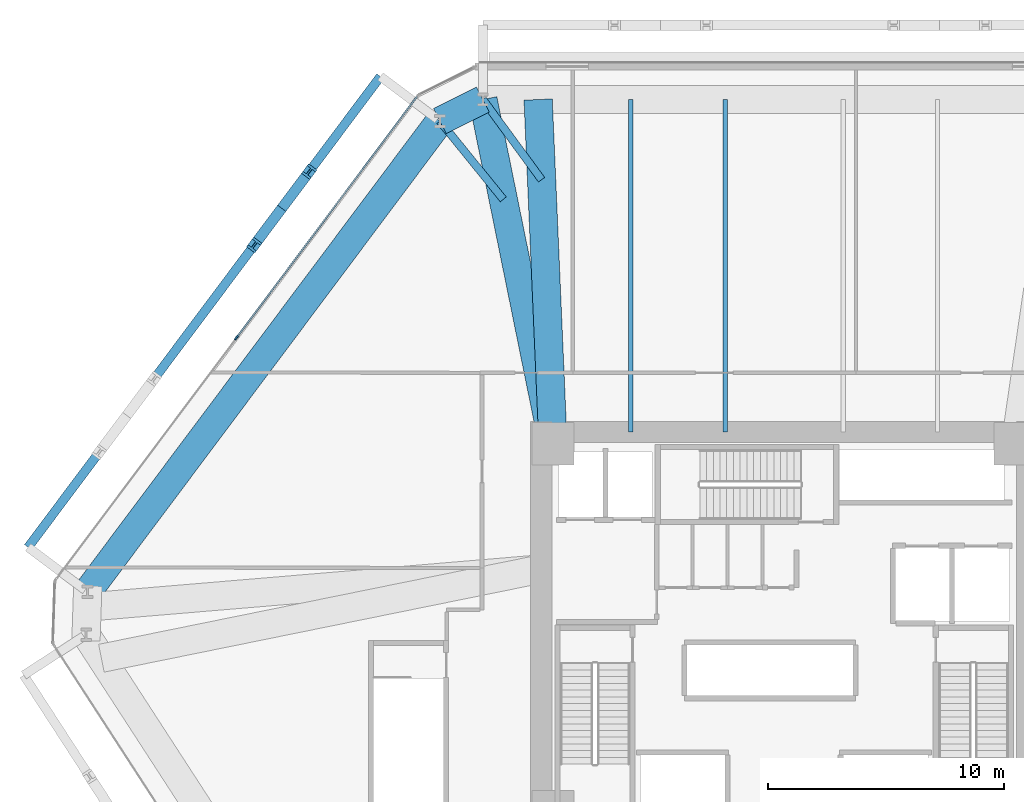
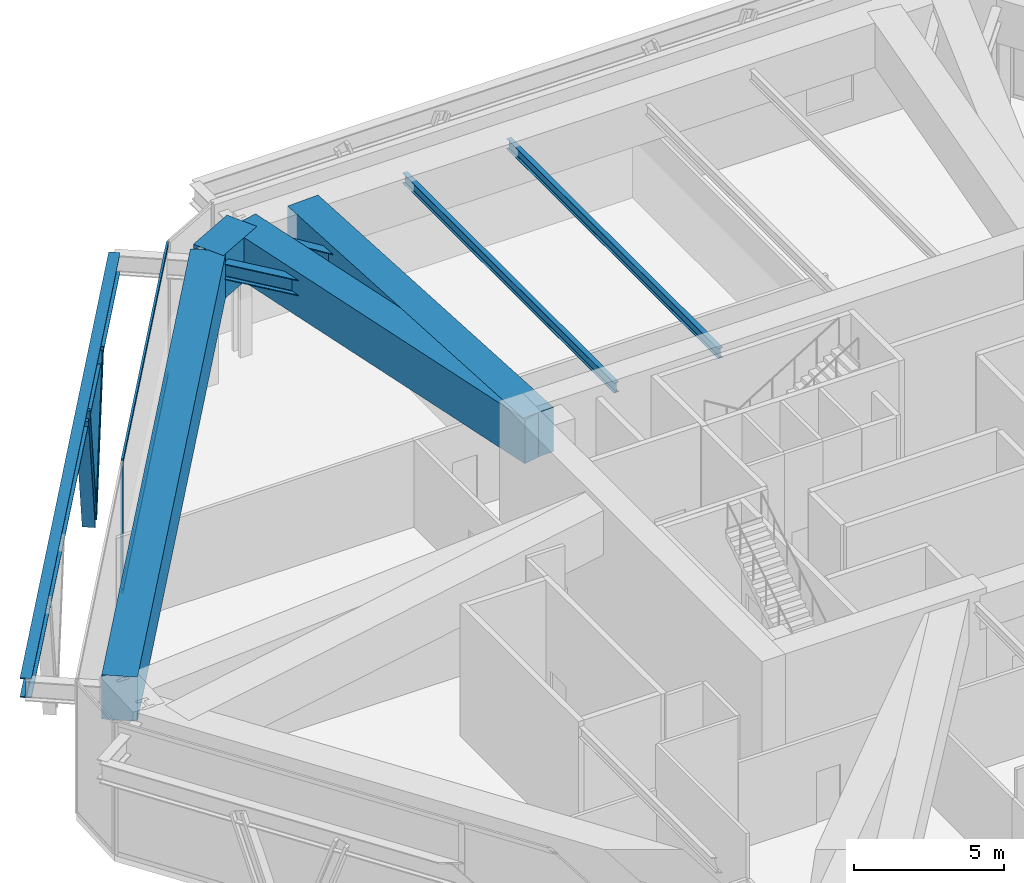
# One storey, part 8 of 19: 9 beams, 5 members, 1 element without a shape of its own.
"""IFC4 building model written with IfcOpenShell, lengths in metres."""

from ifc_helpers import new_model, si_unit, direction, frame, origin, origin_2d, place, context, subcontext, project, spatial, rectangle, i_section, extrude, source, transform, mapped, material, layer, layer_set, material_profile, profile_set, type_object, type_shapes, element, aggregate, save


model = new_model("IFC4")

# Units and contexts
model_context = context("Model", 3, precision=1e-05, world=origin(), true_north=direction((0.0, 1.0)))
body_context = subcontext(model_context, "Body", "Model", "MODEL_VIEW")
ifc_project = project(units=[si_unit("LENGTHUNIT", "METRE"), si_unit("AREAUNIT", "SQUARE_METRE"), si_unit("VOLUMEUNIT", "CUBIC_METRE"), si_unit("PLANEANGLEUNIT", "RADIAN"), si_unit("MASSUNIT", "GRAM", prefix="KILO")], contexts=[model_context])

# Site, building, storey
site_placement = place(None, origin())
site = spatial("IfcSite", under=ifc_project, at=site_placement, CompositionType="ELEMENT")
building_placement = place(site_placement, origin())
building = spatial("IfcBuilding", under=site, at=building_placement, Name="Durnholm Broadcast Tower", CompositionType="ELEMENT")
storey_placement = place(building_placement, frame((0.0, 0.0, 26.800048828125)))
storey = spatial("IfcBuildingStorey", under=building, at=storey_placement, Name="L05", CompositionType="ELEMENT", Elevation=26.800048828125)

# Beams
ifc_material_1 = material(Name="Steel ASTM A992 Grade 50", Category="steel")
ifc_material_profile_1 = material_profile(ifc_material_1, i_section(OverallWidth=0.180908203125, OverallDepth=0.417236328125, WebThickness=0.010986328125, FlangeThickness=0.018310546875, FilletRadius=0.01904296875, at=origin_2d()), Name="W16X57")
ifc_profile_set_1 = profile_set([ifc_material_profile_1], Name="Steel ASTM A992 Grade 50")
beam_type_1 = type_object("IfcBeamType", Name="STL-BJ-W16X57", PredefinedType="JOIST", material=ifc_profile_set_1)
shared_shape_1 = source(origin(), body_context, "Body", "SweptSolid", [
    extrude(i_section(OverallWidth=0.180908203125, OverallDepth=0.417236328125, WebThickness=0.010986328125, FlangeThickness=0.018310546875, FilletRadius=0.01904296875, at=origin_2d()), origin(), (0.0, 0.0, 1.0), 14.099853515625),
])
type_shapes(beam_type_1, [shared_shape_1])
for number, where, z_axis, x_axis, name in (
    (1, (-6.5, 8.300048828125, 4.93115234375), (0.0, 1.0, 0.0), (-1.0, 0.0, 0.0), "L05 secondary floor joist 4.2"),
    (2, (-2.5, 8.300048828125, 4.93115234375), (0.0, 1.0, 0.0), (-1.0, 0.0, 0.0), "L05 secondary floor joist 5.2"),
):
    element("IfcBeam", number, at=place(storey_placement, frame(where, z_axis=z_axis, x_axis=x_axis)), inside=storey, type_object=beam_type_1, Name=name, PredefinedType="JOIST", context=body_context, shape_type="MappedRepresentation", body=[
        mapped(shared_shape_1, transform((0.0, 0.0, 0.0), x_axis=(1.0, 0.0, 0.0), y_axis=(0.0, 1.0, 0.0), z_axis=(0.0, 0.0, 1.0), scale=1.0)),
    ])
ifc_material_profile_2 = material_profile(ifc_material_1, i_section(OverallWidth=0.385009765625, OverallDepth=0.802978515625, WebThickness=0.023681640625, FlangeThickness=0.0419921875, FilletRadius=0.032958984375, at=origin_2d()), Name="W30X261")
ifc_profile_set_2 = profile_set([ifc_material_profile_2], Name="Steel ASTM A992 Grade 50")
beam_type_2 = type_object("IfcBeamType", Name="BM-EXO-TIE", PredefinedType="USERDEFINED", material=ifc_profile_set_2)
shared_shape_2 = source(origin(), body_context, "Body", "SweptSolid", [
    extrude(i_section(OverallWidth=0.385009765625, OverallDepth=0.802978515625, WebThickness=0.023681640625, FlangeThickness=0.0419921875, FilletRadius=0.032958984375, at=origin_2d()), origin(), (0.0, 0.0, 1.0), 24.9267578125),
])
type_shapes(beam_type_2, [shared_shape_2])
beam_1_placement = place(storey_placement, frame((-17.116455078125, 23.375, 4.6083984375), z_axis=(-0.599159705628, -0.800629531776, 0.0), x_axis=(0.800629531776, -0.599159705628, 0.0)))
element("IfcBeam", 3, at=beam_1_placement, inside=storey, type_object=beam_type_2, Name="L05 exoskeleton collector spandrel F5", PredefinedType="SPANDREL", context=body_context, shape_type="MappedRepresentation", body=[
    mapped(shared_shape_2, transform((0.0, 0.0, 0.0), x_axis=(1.0, 0.0, 0.0), y_axis=(0.0, 1.0, 0.0), z_axis=(0.0, 0.0, 1.0), scale=1.0)),
])
ifc_material_2 = material(Name="Concrete C70/85", Category="concrete")
ifc_material_profile_3 = material_profile(ifc_material_2, rectangle(XDim=1.199951171875, YDim=1.800048828125, at=origin_2d()), Name="RC1200X1800")
ifc_profile_set_3 = profile_set([ifc_material_profile_3], Name="Concrete C70/85")
beam_type_3 = type_object("IfcBeamType", Name="BM-TG-RC1800", PredefinedType="USERDEFINED", material=ifc_profile_set_3)
shared_shape_3 = source(origin(), body_context, "Body", "SweptSolid", [
    extrude(rectangle(XDim=1.199951171875, YDim=1.800048828125, at=origin_2d()), origin(), (0.0, 0.0, 1.0), 24.926513671875),
])
beam_2_placement = place(storey_placement, frame((-29.529296875, 1.530517578125, 4.4599609375), z_axis=(0.599153427318, 0.800634230178, 0.0), x_axis=(-0.800634230178, 0.599153427318, 0.0)))
element("IfcBeam", 4, at=beam_2_placement, inside=storey, type_object=beam_type_3, Name="L05 perimeter transfer spandrel girder 03", PredefinedType="SPANDREL", context=body_context, shape_type="MappedRepresentation", body=[
    mapped(shared_shape_3, transform((0.0, 0.0, 0.0), x_axis=(1.0, 0.0, 0.0), y_axis=(0.0, 1.0, 0.0), z_axis=(0.0, 0.0, 1.0), scale=1.0)),
])
shared_shape_4 = source(origin(), body_context, "Body", "SweptSolid", [
    extrude(rectangle(XDim=1.199951171875, YDim=1.800048828125, at=origin_2d()), origin(), (0.0, 0.0, 1.0), 2.0380859375),
])
beam_3_placement = place(storey_placement, frame((-14.594482421875, 21.487548828125, 4.4599609375), z_axis=(0.894211470078, 0.447644777452, 0.0), x_axis=(-0.447644777452, 0.894211470078, 0.0)))
element("IfcBeam", 5, at=beam_3_placement, inside=storey, type_object=beam_type_3, Name="L05 perimeter transfer spandrel girder 04", PredefinedType="SPANDREL", context=body_context, shape_type="MappedRepresentation", body=[
    mapped(shared_shape_4, transform((0.0, 0.0, 0.0), x_axis=(1.0, 0.0, 0.0), y_axis=(0.0, 1.0, 0.0), z_axis=(0.0, 0.0, 1.0), scale=1.0)),
])
shared_shape_5 = source(origin(), body_context, "Body", "SweptSolid", [
    extrude(rectangle(XDim=1.199951171875, YDim=1.800048828125, at=origin_2d()), origin(), (0.0, 0.0, 1.0), 14.8984375),
])
beam_4_placement = place(storey_placement, frame((-9.800048828125, 7.800048828125, 4.4599609375), z_axis=(-0.199184594896, 0.979961987608, 0.0), x_axis=(-0.979961987608, -0.199184594896, 0.0)))
element("IfcBeam", 6, at=beam_4_placement, inside=storey, type_object=beam_type_3, Name="L05 radial setback transfer girder 04", ObjectType="GIRDER", PredefinedType="USERDEFINED", context=body_context, shape_type="MappedRepresentation", body=[
    mapped(shared_shape_5, transform((0.0, 0.0, 0.0), x_axis=(1.0, 0.0, 0.0), y_axis=(0.0, 1.0, 0.0), z_axis=(0.0, 0.0, 1.0), scale=1.0)),
])
ifc_material_profile_4 = material_profile(ifc_material_1, i_section(OverallWidth=0.3291015625, OverallDepth=0.635009765625, WebThickness=0.017822265625, FlangeThickness=0.031005859375, FilletRadius=0.02783203125, at=origin_2d()), Name="W24X162")
ifc_profile_set_4 = profile_set([ifc_material_profile_4], Name="Steel ASTM A992 Grade 50")
beam_type_4 = type_object("IfcBeamType", Name="STL-SP-W24X162", PredefinedType="SPANDREL", material=ifc_profile_set_4)
shared_shape_6 = source(origin(), body_context, "Body", "SweptSolid", [
    extrude(i_section(OverallWidth=0.3291015625, OverallDepth=0.635009765625, WebThickness=0.017822265625, FlangeThickness=0.031005859375, FilletRadius=0.02783203125, at=origin_2d()), origin(), (0.0, 0.0, 1.0), 4.2705078125),
])
beam_5_placement = place(storey_placement, frame((-14.594482421875, 21.487548828125, 4.739990234375), z_axis=(0.629216319373, -0.777230225502, 0.0), x_axis=(0.777230225502, 0.629216319373, 0.0)))
element("IfcBeam", 7, at=beam_5_placement, inside=storey, type_object=beam_type_4, Name="L05 perimeter column collector tie 04", ObjectType="GIRDER", PredefinedType="USERDEFINED", context=body_context, shape_type="MappedRepresentation", body=[
    mapped(shared_shape_6, transform((0.0, 0.0, 0.0), x_axis=(1.0, 0.0, 0.0), y_axis=(0.0, 1.0, 0.0), z_axis=(0.0, 0.0, 1.0), scale=1.0)),
])
shared_shape_7 = source(origin(), body_context, "Body", "SweptSolid", [
    extrude(rectangle(XDim=1.199951171875, YDim=1.800048828125, at=origin_2d()), origin(), (0.0, 0.0, 1.0), 14.613525390625),
])
type_shapes(beam_type_3, [shared_shape_3, shared_shape_4, shared_shape_5, shared_shape_7])
beam_6_placement = place(storey_placement, frame((-9.800048828125, 7.800048828125, 4.4599609375), z_axis=(-0.043069644362, 0.999072072342, 0.0), x_axis=(-0.999072072342, -0.043069644362, 0.0)))
element("IfcBeam", 8, at=beam_6_placement, inside=storey, type_object=beam_type_3, Name="L05 radial setback transfer girder 05", ObjectType="GIRDER", PredefinedType="USERDEFINED", context=body_context, shape_type="MappedRepresentation", body=[
    mapped(shared_shape_7, transform((0.0, 0.0, 0.0), x_axis=(1.0, 0.0, 0.0), y_axis=(0.0, 1.0, 0.0), z_axis=(0.0, 0.0, 1.0), scale=1.0)),
])
shared_shape_8 = source(origin(), body_context, "Body", "SweptSolid", [
    extrude(i_section(OverallWidth=0.3291015625, OverallDepth=0.635009765625, WebThickness=0.017822265625, FlangeThickness=0.031005859375, FilletRadius=0.02783203125, at=origin_2d()), origin(), (0.0, 0.0, 1.0), 4.2138671875),
])
type_shapes(beam_type_4, [shared_shape_6, shared_shape_8])
beam_7_placement = place(storey_placement, frame((-12.77197265625, 22.39990234375, 4.739990234375), z_axis=(0.590745586138, -0.806857888639, 0.0), x_axis=(0.806857888639, 0.590745586138, 0.0)))
element("IfcBeam", 9, at=beam_7_placement, inside=storey, type_object=beam_type_4, Name="L05 perimeter column collector tie 05", ObjectType="GIRDER", PredefinedType="USERDEFINED", context=body_context, shape_type="MappedRepresentation", body=[
    mapped(shared_shape_8, transform((0.0, 0.0, 0.0), x_axis=(1.0, 0.0, 0.0), y_axis=(0.0, 1.0, 0.0), z_axis=(0.0, 0.0, 1.0), scale=1.0)),
])

# Members
ifc_material_3 = material(Name="Steel ASTM A913 Grade 65", Category="steel")
ifc_material_profile_5 = material_profile(ifc_material_3, i_section(OverallWidth=0.44189453125, OverallDepth=0.531494140625, WebThickness=0.06591796875, FlangeThickness=0.105712890625, FilletRadius=0.030517578125, at=origin_2d()), Name="W14X605")
ifc_profile_set_5 = profile_set([ifc_material_profile_5], Name="Steel ASTM A913 Grade 65")
member_type_1 = type_object("IfcMemberType", Name="STL-DG-W14X605", PredefinedType="BRACE", material=ifc_profile_set_5)
shared_shape_9 = source(origin(), body_context, "Body", "SweptSolid", [
    extrude(i_section(OverallWidth=0.44189453125, OverallDepth=0.531494140625, WebThickness=0.06591796875, FlangeThickness=0.105712890625, FilletRadius=0.030517578125, at=origin_2d()), origin(), (0.0, 0.0, 1.0), 6.00341796875),
])
type_shapes(member_type_1, [shared_shape_9])
for number, where, z_axis, x_axis, name in (
    (10, (-21.298095703125, 17.787109375, -1.071533203125), (0.194022731691, 0.259252759281, 0.946120069754), (-0.800617464095, 0.599175830776, 0.0), "L05 stand-off diagrid brace F5.D1.1"),
    (11, (-21.298095703125, 17.787109375, -1.071533203125), (-0.194059821321, -0.259288646425, 0.946102628463), (0.800602308277, -0.599196081414, 0.0), "L05 stand-off diagrid brace F5.D1.2"),
):
    element("IfcMember", number, at=place(storey_placement, frame(where, z_axis=z_axis, x_axis=x_axis)), inside=storey, type_object=member_type_1, Name=name, PredefinedType="BRACE", context=body_context, shape_type="MappedRepresentation", body=[
        mapped(shared_shape_9, transform((0.0, 0.0, 0.0), x_axis=(1.0, 0.0, 0.0), y_axis=(0.0, 1.0, 0.0), z_axis=(0.0, 0.0, 1.0), scale=1.0)),
    ])

# Curtain wall, members
ifc_material_4 = material(Name="Aluminium and Solar Control IGU", Category="aluminium")
ifc_layer = layer(ifc_material_4, 0.219970703125)
ifc_layer_set = layer_set([ifc_layer], Name="Aluminium and Solar Control IGU")
curtain_wall_type = type_object("IfcCurtainWallType", Name="CW-SYS-2", PredefinedType="NOTDEFINED", material=ifc_layer_set)
curtain_wall_placement = place(storey_placement, origin())
curtain_wall = element("IfcCurtainWall", 12, at=curtain_wall_placement, inside=storey, type_object=curtain_wall_type, Name="L05 curtain wall CW-STUDIO CW-L05-F02", PredefinedType="NOTDEFINED")
ifc_material_5 = material(Name="Aluminium 6063-T6", Category="aluminium")
ifc_material_profile_6 = material_profile(ifc_material_5, rectangle(XDim=0.074951171875, YDim=0.179931640625, at=origin_2d()), Name="CWT75X180")
ifc_profile_set_6 = profile_set([ifc_material_profile_6], Name="Aluminium 6063-T6")
member_type_2 = type_object("IfcMemberType", Name="CW-SYS-2-TRN", PredefinedType="USERDEFINED", material=ifc_profile_set_6)
shared_shape_10 = source(origin(), body_context, "Body", "SweptSolid", [
    extrude(rectangle(XDim=0.074951171875, YDim=0.179931640625, at=origin_2d()), origin(), (0.0, 0.0, 1.0), 12.736328125),
])
type_shapes(member_type_2, [shared_shape_10])
member_1_placement = place(storey_placement, frame((-23.193115234375, 12.334228515625, 0.037353515625), z_axis=(0.59916237373, 0.800627535066, 0.0), x_axis=(-0.800627535066, 0.59916237373, 0.0)))
member_1 = element("IfcMember", 13, at=member_1_placement, type_object=member_type_2, Name="CW-STUDIO transom 2.1", ObjectType="TRANSOM", PredefinedType="USERDEFINED", context=body_context, shape_type="MappedRepresentation", body=[
    mapped(shared_shape_10, transform((0.0, 0.0, 0.0), x_axis=(1.0, 0.0, 0.0), y_axis=(0.0, 1.0, 0.0), z_axis=(0.0, 0.0, 1.0), scale=1.0)),
])
member_2_placement = place(storey_placement, frame((-23.193115234375, 12.334228515625, 5.322509765625), z_axis=(0.59916237373, 0.800627535066, 0.0), x_axis=(-0.800627535066, 0.59916237373, 0.0)))
member_2 = element("IfcMember", 14, at=member_2_placement, type_object=member_type_2, Name="CW-STUDIO transom 2.2", ObjectType="TRANSOM", PredefinedType="USERDEFINED", context=body_context, shape_type="MappedRepresentation", body=[
    mapped(shared_shape_10, transform((0.0, 0.0, 0.0), x_axis=(1.0, 0.0, 0.0), y_axis=(0.0, 1.0, 0.0), z_axis=(0.0, 0.0, 1.0), scale=1.0)),
])
ifc_material_profile_7 = material_profile(ifc_material_5, rectangle(XDim=0.074951171875, YDim=0.219970703125, at=origin_2d()), Name="CWM75X220")
ifc_profile_set_7 = profile_set([ifc_material_profile_7], Name="Aluminium 6063-T6")
member_type_3 = type_object("IfcMemberType", Name="CW-SYS-2-MUL", PredefinedType="MULLION", material=ifc_profile_set_7)
shared_shape_11 = source(origin(), body_context, "Body", "SweptSolid", [
    extrude(rectangle(XDim=0.074951171875, YDim=0.219970703125, at=origin_2d()), origin(), (0.0, 0.0, 1.0), 5.35986328125),
])
type_shapes(member_type_3, [shared_shape_11])
member_3_placement = place(storey_placement, frame((-23.215576171875, 12.30419921875, 0.0), z_axis=(0.0, 0.0, 1.0), x_axis=(-0.800631836327, 0.59915662615, 0.0)))
member_3 = element("IfcMember", 15, at=member_3_placement, type_object=member_type_3, Name="CW-STUDIO mullion 2", PredefinedType="MULLION", context=body_context, shape_type="MappedRepresentation", body=[
    mapped(shared_shape_11, transform((0.0, 0.0, 0.0), x_axis=(1.0, 0.0, 0.0), y_axis=(0.0, 1.0, 0.0), z_axis=(0.0, 0.0, 1.0), scale=1.0)),
])
aggregate(curtain_wall, [member_3, member_1, member_2])

save(model, "model.ifc")
